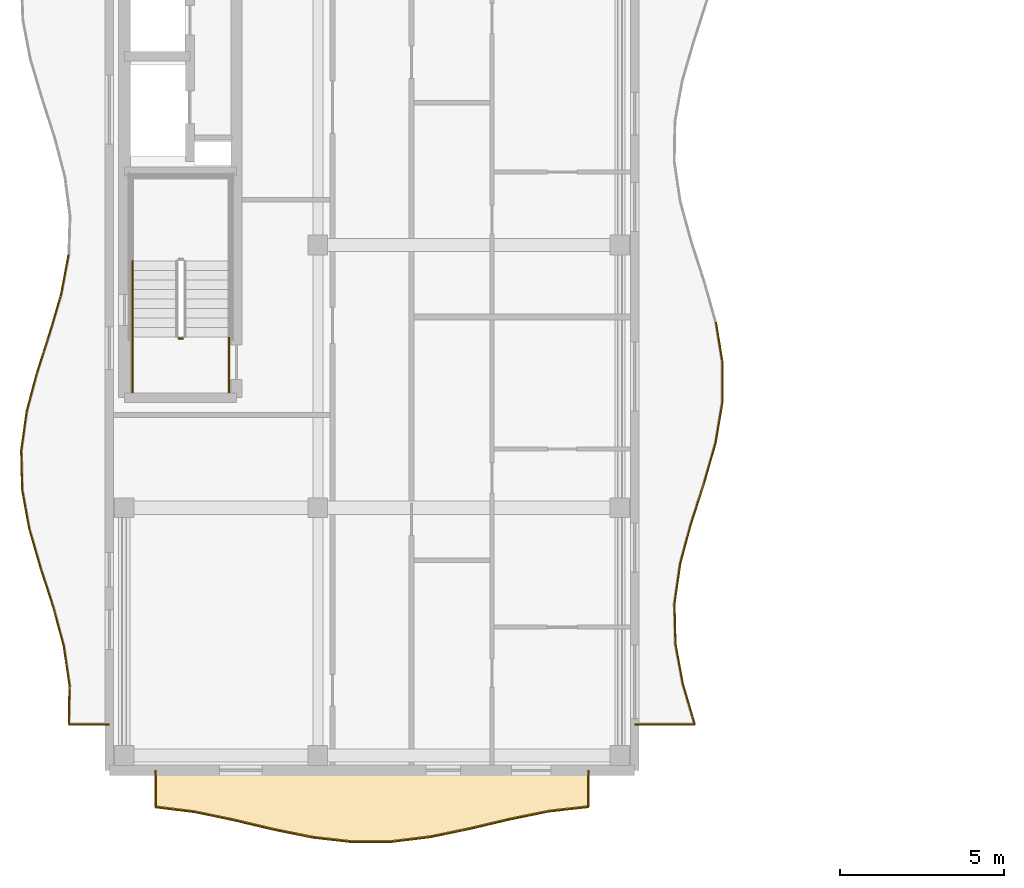
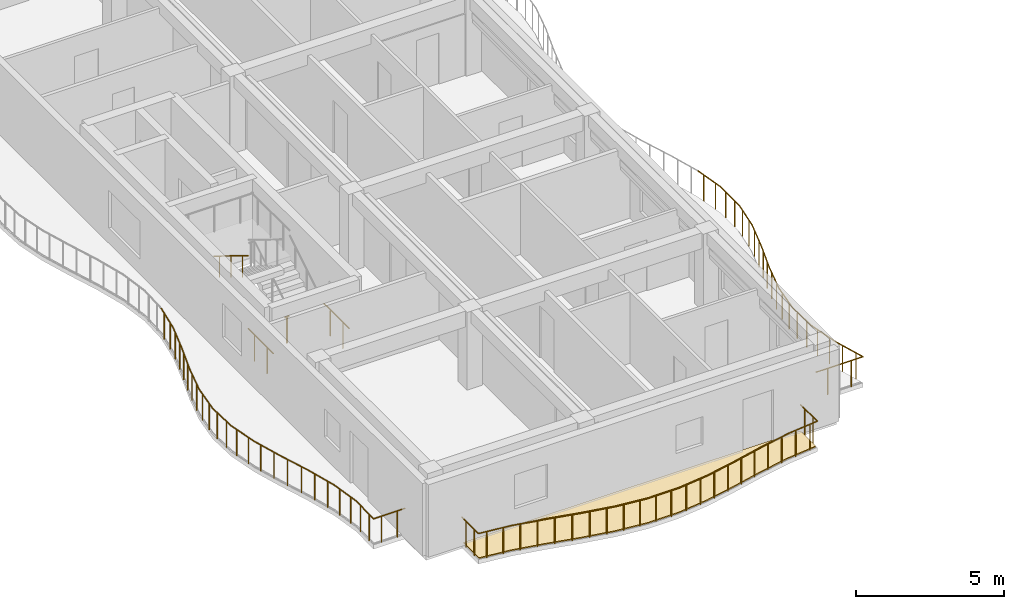
# One storey, part 49 of 76: 41 railings, 1 covering.
"""IFC4 building model written with IfcOpenShell, lengths in metres."""

import ifcopenshell
import ifcopenshell.guid

model = None  # the IFC model being written
_history = None  # IfcOwnerHistory: only IFC2X3 demands one
_inside = {}  # id of a spatial element -> (the spatial element, [elements in it])
_under = {}  # id of a project, library or spatial element -> (it, [spatial elements below it])
_declared = {}  # id of a project -> (the project, [libraries it declares])
_typed = {}  # id of a type object -> (the type object, [elements of that type])
_made_of = {}  # id of a material, layer set ... -> (it, [elements and type objects made of it])


def new_model(schema):
    """Start an empty IFC model of exactly this schema.

    Asked for "IFC4X3", IfcOpenShell would pick the latest addendum, in which some entities
    have other attributes; the version numbers below select the first issue.
    IFC2X3 requires an IfcOwnerHistory on every rooted entity: one is made here for all.
    """
    global model, _history
    if schema == "IFC4X3":
        model = ifcopenshell.file(schema_version=(4, 3, 0, 0))
    else:
        model = ifcopenshell.file(schema=schema)
    _inside.clear()
    _under.clear()
    _declared.clear()
    _typed.clear()
    _made_of.clear()
    _history = None
    if model.schema == "IFC2X3":
        org = make("IfcOrganization", Name="unknown")
        user = make(
            "IfcPersonAndOrganization",
            ThePerson=make("IfcPerson", FamilyName="unknown"),
            TheOrganization=org,
        )
        app = make(
            "IfcApplication",
            ApplicationDeveloper=org,
            Version="unknown",
            ApplicationFullName="unknown",
            ApplicationIdentifier="unknown",
        )
        _history = make(
            "IfcOwnerHistory",
            OwningUser=user,
            OwningApplication=app,
            ChangeAction="ADDED",
            CreationDate=0,
        )
    return model


def make(cls, **values):
    """One entity of the class cls with the attributes given. An attribute that is None is left unset."""
    return model.create_entity(
        cls, **{name: value for name, value in values.items() if value is not None}
    )


def rooted(cls, **values):
    """An entity with a GlobalId (a new one), such as an element, a storey or a relation."""
    return make(cls, GlobalId=ifcopenshell.guid.new(), OwnerHistory=_history, **values)


def si_unit(unit_type, name, prefix=None):
    """IfcSIUnit, for example si_unit("LENGTHUNIT", "METRE", prefix="MILLI")."""
    return make("IfcSIUnit", UnitType=unit_type, Prefix=prefix, Name=name)


def assignment(units):
    """IfcUnitAssignment: the units of a project."""
    return None if units is None else make("IfcUnitAssignment", Units=units)


def point(xyz):
    """IfcCartesianPoint."""
    return None if xyz is None else make("IfcCartesianPoint", Coordinates=xyz)


def direction(xyz):
    """IfcDirection."""
    return None if xyz is None else make("IfcDirection", DirectionRatios=xyz)


def frame(location, z_axis=None, x_axis=None):
    """IfcAxis2Placement3D, a coordinate frame: its origin and axes. An axis left out is left unset."""
    return make(
        "IfcAxis2Placement3D",
        Location=point(location),
        Axis=direction(z_axis),
        RefDirection=direction(x_axis),
    )


def frame_2d(location, x_axis=None):
    """IfcAxis2Placement2D, a coordinate frame in the plane: its origin and x axis."""
    return make(
        "IfcAxis2Placement2D", Location=point(location), RefDirection=direction(x_axis)
    )


def origin():
    """The frame at (0, 0, 0) with its axes left unset."""
    return frame((0.0, 0.0, 0.0))


def origin_2d():
    """The frame at (0, 0) in the plane with its x axis left unset."""
    return frame_2d((0.0, 0.0))


def place(relative_to, where):
    """IfcLocalPlacement: puts the frame where relative to a parent placement (None: the world)."""
    return make(
        "IfcLocalPlacement", PlacementRelTo=relative_to, RelativePlacement=where
    )


def context(
    kind, dimensions, precision=None, world=None, true_north=None, identifier=None
):
    """IfcGeometricRepresentationContext, for example the 3D "Model" context."""
    return make(
        "IfcGeometricRepresentationContext",
        ContextIdentifier=identifier,
        ContextType=kind,
        CoordinateSpaceDimension=dimensions,
        Precision=precision,
        WorldCoordinateSystem=world,
        TrueNorth=true_north,
    )


def subcontext(parent, identifier, kind, view, scale=None):
    """IfcGeometricRepresentationSubContext, for example "Body" below "Model"."""
    return make(
        "IfcGeometricRepresentationSubContext",
        ContextIdentifier=identifier,
        ContextType=kind,
        ParentContext=parent,
        TargetScale=scale,
        TargetView=view,
    )


def project(units=None, contexts=None):
    """IfcProject with its units and contexts."""
    return rooted(
        "IfcProject",
        Name="project",
        RepresentationContexts=contexts,
        UnitsInContext=assignment(units),
    )


def spatial(cls, under=None, at=None, **own):
    """A site, building, storey or space (cls), placed at a placement, below another one or the project."""
    s = rooted(cls, ObjectPlacement=at, **own)
    if under is not None:
        _under.setdefault(under.id(), (under, []))[1].append(s)
    return s


def polyline(points):
    """IfcPolyline through the points."""
    return make("IfcPolyline", Points=[point(p) for p in points])


def profile(cls, at=None, kind="AREA", **sizes):
    """A parametric profile (cls). Its sizes go by their IFC names, for example OverallWidth=200.0."""
    return make(cls, ProfileType=kind, Position=at, **sizes)


def circle(**sizes):
    """IfcCircleProfileDef."""
    return profile("IfcCircleProfileDef", **sizes)


def outline(outer, holes=None, kind="AREA"):
    """IfcArbitraryClosedProfileDef: a profile drawn as a closed curve; with holes, ...WithVoids."""
    if holes is None:
        return make("IfcArbitraryClosedProfileDef", ProfileType=kind, OuterCurve=outer)
    return make(
        "IfcArbitraryProfileDefWithVoids",
        ProfileType=kind,
        OuterCurve=outer,
        InnerCurves=holes,
    )


def extrude(swept, where, along, depth):
    """IfcExtrudedAreaSolid: the profile swept, set in the frame where, extruded along a direction by depth."""
    return make(
        "IfcExtrudedAreaSolid",
        SweptArea=swept,
        Position=where,
        ExtrudedDirection=direction(along),
        Depth=depth,
    )


def shape(context_of_items, identifier, shape_type, items):
    """IfcShapeRepresentation: the items that make up one representation, for example the "Body"."""
    return make(
        "IfcShapeRepresentation",
        ContextOfItems=context_of_items,
        RepresentationIdentifier=identifier,
        RepresentationType=shape_type,
        Items=items,
    )


def material(Name=None, Category=None):
    """IfcMaterial."""
    return make("IfcMaterial", Name=Name, Category=Category)


def layer(
    of_material, thickness, ventilated=None, Name=None, Category=None, Priority=None
):
    """IfcMaterialLayer: one layer of a wall or slab, of a material (None: an air gap)."""
    return make(
        "IfcMaterialLayer",
        Material=of_material,
        LayerThickness=thickness,
        IsVentilated=ventilated,
        Name=Name,
        Category=Category,
        Priority=Priority,
    )


def layer_set(layers, Name=None):
    """IfcMaterialLayerSet."""
    return make("IfcMaterialLayerSet", MaterialLayers=layers, LayerSetName=Name)


def made_of(thing, what):
    """Note that an element or type object is made of a material, layer set ...; save() writes the relation."""
    if what is not None:
        _made_of.setdefault(what.id(), (what, []))[1].append(thing)
    return thing


def type_object(cls, material=None, **own):
    """A type object (cls), such as IfcWallType, which elements share."""
    return made_of(rooted(cls, **own), material)


def element(
    cls,
    number,
    at=None,
    inside=None,
    cuts=None,
    type_object=None,
    material=None,
    context=None,
    identifier="Body",
    shape_type=None,
    held_by="IfcProductDefinitionShape",
    body=None,
    shapes=None,
    **own,
):
    """One element of the class cls, such as IfcWall. Its Tag is "e" and its number.

    at: its placement. inside: the storey or other place that contains it. cuts: it is an
    opening in that element (IfcRelVoidsElement). A single representation is given by context,
    identifier, shape_type and body (its items); several are given by shapes. held_by: the class
    of the entity that holds the representations. save() writes the other relations.
    """
    e = rooted(cls, Tag="e%d" % number, ObjectPlacement=at, **own)
    if body is not None:
        shapes = [shape(context, identifier, shape_type, body)]
    if shapes is not None:
        e.Representation = make(held_by, Representations=shapes)
    if inside is not None:
        _inside.setdefault(inside.id(), (inside, []))[1].append(e)
    if cuts is not None:
        rooted(
            "IfcRelVoidsElement", RelatingBuildingElement=cuts, RelatedOpeningElement=e
        )
    if type_object is not None:
        _typed.setdefault(type_object.id(), (type_object, []))[1].append(e)
    return made_of(e, material)


def aggregate(whole, parts):
    """IfcRelAggregates: a whole, such as a stair, and the parts it consists of."""
    return rooted("IfcRelAggregates", RelatingObject=whole, RelatedObjects=parts)


def save(model, path):
    """Write the relations noted so far, then the file.

    IfcRelAggregates (storeys below a building ...), IfcRelContainedInSpatialStructure (elements
    in a storey), IfcRelDefinesByType, IfcRelAssociatesMaterial and IfcRelDeclares: one each for
    every whole, place, type object, material and project.
    """
    for whole, parts in _under.values():
        aggregate(whole, parts)
    for where, things in _inside.values():
        rooted(
            "IfcRelContainedInSpatialStructure",
            RelatedElements=things,
            RelatingStructure=where,
        )
    for kind, things in _typed.values():
        rooted("IfcRelDefinesByType", RelatedObjects=things, RelatingType=kind)
    for what, things in _made_of.values():
        rooted("IfcRelAssociatesMaterial", RelatedObjects=things, RelatingMaterial=what)
    for by, libraries in _declared.values():
        rooted("IfcRelDeclares", RelatingContext=by, RelatedDefinitions=libraries)
    model.write(path)


model = new_model("IFC4")

# Units and contexts
model_context = context("Model", 3, precision=1e-05, world=origin(), true_north=direction((0.0, 1.0)))
body_context = subcontext(model_context, "Body", "Model", "MODEL_VIEW")
ifc_project = project(units=[si_unit("LENGTHUNIT", "METRE"), si_unit("AREAUNIT", "SQUARE_METRE"), si_unit("VOLUMEUNIT", "CUBIC_METRE"), si_unit("PLANEANGLEUNIT", "RADIAN"), si_unit("MASSUNIT", "GRAM", prefix="KILO")], contexts=[model_context])

# Site, building, storey
site_placement = place(None, origin())
site = spatial("IfcSite", under=ifc_project, at=site_placement, CompositionType="ELEMENT")
building_placement = place(site_placement, origin())
building = spatial("IfcBuilding", under=site, at=building_placement, Name="Keldmere Railside Commons", CompositionType="ELEMENT")
storey_placement = place(building_placement, frame((0.0, 0.0, 13.760009765625)))
storey = spatial("IfcBuildingStorey", under=building, at=storey_placement, Name="L04", CompositionType="ELEMENT", Elevation=13.760009765625)

# Railings
ifc_material_1 = material(Name="Steel F-24 (S235)", Category="steel")
railing_type_1 = type_object("IfcRailingType", Name="Balcony & Terrace Steel Balustrade 1100", PredefinedType="BALUSTRADE", material=ifc_material_1)
railing_1_placement = place(storey_placement, frame((24.0, 57.39990234375, 0.0)))
element("IfcRailing", 1, at=railing_1_placement, inside=storey, type_object=railing_type_1, Name="GR-1 GRD-L04-0401", PredefinedType="BALUSTRADE", context=body_context, shape_type="SweptSolid", body=[
    extrude(circle(Radius=0.02392578125, at=origin_2d()), frame((0.0, 0.0, 1.076171875), z_axis=(1.0, 0.0, 0.0), x_axis=(0.0, 1.0, 0.0)), (0.0, 0.0, 1.0), 1.831787109375),
    extrude(circle(Radius=0.02099609375, at=origin_2d()), frame((0.4580078125, 0.0, 0.0)), (0.0, 0.0, 1.0), 1.048095703125),
    extrude(circle(Radius=0.02099609375, at=origin_2d()), frame((1.373779296875, 0.0, 0.0)), (0.0, 0.0, 1.0), 1.048095703125),
])
railing_2_placement = place(storey_placement, frame((25.831787109375, 57.39990234375, 0.0)))
element("IfcRailing", 2, at=railing_2_placement, inside=storey, type_object=railing_type_1, Name="GR-1 GRD-L04-0402", PredefinedType="BALUSTRADE", context=body_context, shape_type="SweptSolid", body=[
    extrude(circle(Radius=0.02392578125, at=origin_2d()), frame((0.0, 0.0, 1.076171875), z_axis=(-0.282538887888, 0.959255845346, 0.0), x_axis=(-0.959255845346, -0.282538887888, 0.0)), (0.0, 0.0, 1.0), 1.277099609375),
    extrude(circle(Radius=0.02099609375, at=origin_2d()), frame((-0.09033203125, 0.30615234375, 0.0)), (0.0, 0.0, 1.0), 1.048095703125),
    extrude(circle(Radius=0.02099609375, at=origin_2d()), frame((-0.2705078125, 0.9189453125, 0.0)), (0.0, 0.0, 1.0), 1.048095703125),
])
railing_3_placement = place(storey_placement, frame((25.470947265625, 58.625, 0.0)))
element("IfcRailing", 3, at=railing_3_placement, inside=storey, type_object=railing_type_1, Name="GR-1 GRD-L04-0403", PredefinedType="BALUSTRADE", context=body_context, shape_type="SweptSolid", body=[
    extrude(circle(Radius=0.02392578125, at=origin_2d()), frame((0.0, 0.0, 1.076171875), z_axis=(-0.182229590861, 0.983256007464, 0.0), x_axis=(-0.983256007464, -0.182229590861, 0.0)), (0.0, 0.0, 1.0), 1.245849609375),
    extrude(circle(Radius=0.02099609375, at=origin_2d()), frame((-0.056640625, 0.30615234375, 0.0)), (0.0, 0.0, 1.0), 1.048095703125),
    extrude(circle(Radius=0.02099609375, at=origin_2d()), frame((-0.17041015625, 0.9189453125, 0.0)), (0.0, 0.0, 1.0), 1.048095703125),
])
railing_4_placement = place(storey_placement, frame((25.243896484375, 59.85009765625, 0.0)))
element("IfcRailing", 4, at=railing_4_placement, inside=storey, type_object=railing_type_1, Name="GR-1 GRD-L04-0404", PredefinedType="BALUSTRADE", context=body_context, shape_type="SweptSolid", body=[
    extrude(circle(Radius=0.02392578125, at=origin_2d()), frame((0.0, 0.0, 1.076171875), z_axis=(-0.024708419942, 0.999694700388, 0.0), x_axis=(-0.999694700388, -0.024708419942, 0.0)), (0.0, 0.0, 1.0), 1.225341796875),
    extrude(circle(Radius=0.02099609375, at=origin_2d()), frame((-0.007568359375, 0.30615234375, 0.0)), (0.0, 0.0, 1.0), 1.048095703125),
    extrude(circle(Radius=0.02099609375, at=origin_2d()), frame((-0.022705078125, 0.918701171875, 0.0)), (0.0, 0.0, 1.0), 1.048095703125),
])
railing_5_placement = place(storey_placement, frame((25.213623046875, 61.074951171875, 0.0)))
element("IfcRailing", 5, at=railing_5_placement, inside=storey, type_object=railing_type_1, Name="GR-1 GRD-L04-0405", PredefinedType="BALUSTRADE", context=body_context, shape_type="SweptSolid", body=[
    extrude(circle(Radius=0.02392578125, at=origin_2d()), frame((0.0, 0.0, 1.076171875), z_axis=(0.141642298919, 0.989917905261, 0.0), x_axis=(-0.989917905261, 0.141642298919, 0.0)), (0.0, 0.0, 1.0), 1.237548828125),
    extrude(circle(Radius=0.02099609375, at=origin_2d()), frame((0.0439453125, 0.30615234375, 0.0)), (0.0, 0.0, 1.0), 1.048095703125),
    extrude(circle(Radius=0.02099609375, at=origin_2d()), frame((0.13134765625, 0.9189453125, 0.0)), (0.0, 0.0, 1.0), 1.048095703125),
])
railing_6_placement = place(storey_placement, frame((25.388916015625, 62.300048828125, 0.0)))
element("IfcRailing", 6, at=railing_6_placement, inside=storey, type_object=railing_type_1, Name="GR-1 GRD-L04-0406", PredefinedType="BALUSTRADE", context=body_context, shape_type="SweptSolid", body=[
    extrude(circle(Radius=0.02392578125, at=origin_2d()), frame((0.0, 0.0, 1.076171875), z_axis=(0.261456551656, 0.965215246252, 0.0), x_axis=(-0.965215246252, 0.261456551656, 0.0)), (0.0, 0.0, 1.0), 1.26904296875),
    extrude(circle(Radius=0.02099609375, at=origin_2d()), frame((0.0830078125, 0.30615234375, 0.0)), (0.0, 0.0, 1.0), 1.048095703125),
    extrude(circle(Radius=0.02099609375, at=origin_2d()), frame((0.248779296875, 0.918701171875, 0.0)), (0.0, 0.0, 1.0), 1.048095703125),
])
railing_7_placement = place(storey_placement, frame((25.720703125, 63.52490234375, 0.0)))
element("IfcRailing", 7, at=railing_7_placement, inside=storey, type_object=railing_type_1, Name="GR-1 GRD-L04-0407", PredefinedType="BALUSTRADE", context=body_context, shape_type="SweptSolid", body=[
    extrude(circle(Radius=0.02392578125, at=origin_2d()), frame((0.0, 0.0, 1.076171875), z_axis=(0.307396140742, 0.951581637411, 0.0), x_axis=(-0.951581637411, 0.307396140742, 0.0)), (0.0, 0.0, 1.0), 1.287353515625),
    extrude(circle(Radius=0.02099609375, at=origin_2d()), frame((0.098876953125, 0.30615234375, 0.0)), (0.0, 0.0, 1.0), 1.048095703125),
    extrude(circle(Radius=0.02099609375, at=origin_2d()), frame((0.296875, 0.9189453125, 0.0)), (0.0, 0.0, 1.0), 1.048095703125),
])
railing_8_placement = place(storey_placement, frame((26.116455078125, 64.75, 0.0)))
element("IfcRailing", 8, at=railing_8_placement, inside=storey, type_object=railing_type_1, Name="GR-1 GRD-L04-0408", PredefinedType="BALUSTRADE", context=body_context, shape_type="SweptSolid", body=[
    extrude(circle(Radius=0.02392578125, at=origin_2d()), frame((0.0, 0.0, 1.076171875), z_axis=(0.274240179754, 0.961661231312, 0.0), x_axis=(-0.961661231312, 0.274240179754, 0.0)), (0.0, 0.0, 1.0), 1.27392578125),
    extrude(circle(Radius=0.02099609375, at=origin_2d()), frame((0.08740234375, 0.30615234375, 0.0)), (0.0, 0.0, 1.0), 1.048095703125),
    extrude(circle(Radius=0.02099609375, at=origin_2d()), frame((0.261962890625, 0.9189453125, 0.0)), (0.0, 0.0, 1.0), 1.048095703125),
])
railing_9_placement = place(storey_placement, frame((26.4658203125, 65.97509765625, 0.0)))
element("IfcRailing", 9, at=railing_9_placement, inside=storey, type_object=railing_type_1, Name="GR-1 GRD-L04-0409", PredefinedType="BALUSTRADE", context=body_context, shape_type="SweptSolid", body=[
    extrude(circle(Radius=0.02392578125, at=origin_2d()), frame((0.0, 0.0, 1.076171875), z_axis=(0.16532337011, 0.986239414795, 0.0), x_axis=(-0.986239414795, 0.16532337011, 0.0)), (0.0, 0.0, 1.0), 1.241943359375),
    extrude(circle(Radius=0.02099609375, at=origin_2d()), frame((0.05126953125, 0.30615234375, 0.0)), (0.0, 0.0, 1.0), 1.048095703125),
    extrude(circle(Radius=0.02099609375, at=origin_2d()), frame((0.154052734375, 0.918701171875, 0.0)), (0.0, 0.0, 1.0), 1.048095703125),
])
railing_10_placement = place(storey_placement, frame((26.671142578125, 67.199951171875, 0.0)))
element("IfcRailing", 10, at=railing_10_placement, inside=storey, type_object=railing_type_1, Name="GR-1 GRD-L04-0410", PredefinedType="BALUSTRADE", context=body_context, shape_type="SweptSolid", body=[
    extrude(circle(Radius=0.02392578125, at=origin_2d()), frame((0.0, 0.0, 1.076171875), z_axis=(0.003387784465, 0.999994261442, 0.0), x_axis=(-0.999994261442, 0.003387784465, 0.0)), (0.0, 0.0, 1.0), 1.22509765625),
    extrude(circle(Radius=0.02099609375, at=origin_2d()), frame((0.0009765625, 0.30615234375, 0.0)), (0.0, 0.0, 1.0), 1.048095703125),
    extrude(circle(Radius=0.02099609375, at=origin_2d()), frame((0.003173828125, 0.9189453125, 0.0)), (0.0, 0.0, 1.0), 1.048095703125),
])
railing_11_placement = place(storey_placement, frame((26.67529296875, 68.425048828125, 0.0)))
element("IfcRailing", 11, at=railing_11_placement, inside=storey, type_object=railing_type_1, Name="GR-1 GRD-L04-0411", PredefinedType="BALUSTRADE", context=body_context, shape_type="SweptSolid", body=[
    extrude(circle(Radius=0.02392578125, at=origin_2d()), frame((0.0, 0.0, 1.076171875), z_axis=(-0.159578868464, 0.987185182597, 0.0), x_axis=(-0.987185182597, -0.159578868464, 0.0)), (0.0, 0.0, 1.0), 1.24072265625),
    extrude(circle(Radius=0.02099609375, at=origin_2d()), frame((-0.049560546875, 0.30615234375, 0.0)), (0.0, 0.0, 1.0), 1.048095703125),
    extrude(circle(Radius=0.02099609375, at=origin_2d()), frame((-0.1484375, 0.918701171875, 0.0)), (0.0, 0.0, 1.0), 1.048095703125),
])
railing_12_placement = place(storey_placement, frame((8.0, 57.39990234375, 0.0)))
element("IfcRailing", 12, at=railing_12_placement, inside=storey, type_object=railing_type_1, Name="GR-1 GRD-L04-0427", PredefinedType="BALUSTRADE", context=body_context, shape_type="SweptSolid", body=[
    extrude(circle(Radius=0.02392578125, at=origin_2d()), frame((0.0, 0.0, 1.076171875), z_axis=(-1.0, 0.0, 0.0), x_axis=(0.0, -1.0, 0.0)), (0.0, 0.0, 1.0), 1.236328125),
    extrude(circle(Radius=0.02099609375, at=origin_2d()), frame((-0.30908203125, 0.0, 0.0)), (0.0, 0.0, 1.0), 1.048095703125),
    extrude(circle(Radius=0.02099609375, at=origin_2d()), frame((-0.92724609375, 0.0, 0.0)), (0.0, 0.0, 1.0), 1.048095703125),
])
railing_13_placement = place(storey_placement, frame((6.763671875, 57.39990234375, 0.0)))
element("IfcRailing", 13, at=railing_13_placement, inside=storey, type_object=railing_type_1, Name="GR-1 GRD-L04-0428", PredefinedType="BALUSTRADE", context=body_context, shape_type="SweptSolid", body=[
    extrude(circle(Radius=0.02392578125, at=origin_2d()), frame((0.0, 0.0, 1.076171875), z_axis=(0.016998772504, 0.999855510428, 0.0), x_axis=(-0.999855510428, 0.016998772504, 0.0)), (0.0, 0.0, 1.0), 1.192138671875),
    extrude(circle(Radius=0.02099609375, at=origin_2d()), frame((0.005126953125, 0.2978515625, 0.0)), (0.0, 0.0, 1.0), 1.048095703125),
    extrude(circle(Radius=0.02099609375, at=origin_2d()), frame((0.01513671875, 0.89404296875, 0.0)), (0.0, 0.0, 1.0), 1.048095703125),
])
railing_14_placement = place(storey_placement, frame((6.783935546875, 58.591796875, 0.0)))
element("IfcRailing", 14, at=railing_14_placement, inside=storey, type_object=railing_type_1, Name="GR-1 GRD-L04-0429", PredefinedType="BALUSTRADE", context=body_context, shape_type="SweptSolid", body=[
    extrude(circle(Radius=0.02392578125, at=origin_2d()), frame((0.0, 0.0, 1.076171875), z_axis=(-0.144373075605, 0.989523327183, 0.0), x_axis=(-0.989523327183, -0.144373075605, 0.0)), (0.0, 0.0, 1.0), 1.2041015625),
    extrude(circle(Radius=0.02099609375, at=origin_2d()), frame((-0.04345703125, 0.2978515625, 0.0)), (0.0, 0.0, 1.0), 1.048095703125),
    extrude(circle(Radius=0.02099609375, at=origin_2d()), frame((-0.13037109375, 0.8935546875, 0.0)), (0.0, 0.0, 1.0), 1.048095703125),
])
railing_15_placement = place(storey_placement, frame((6.610107421875, 59.783203125, 0.0)))
element("IfcRailing", 15, at=railing_15_placement, inside=storey, type_object=railing_type_1, Name="GR-1 GRD-L04-0430", PredefinedType="BALUSTRADE", context=body_context, shape_type="SweptSolid", body=[
    extrude(circle(Radius=0.02392578125, at=origin_2d()), frame((0.0, 0.0, 1.076171875), z_axis=(-0.260640047752, 0.965436049414, 0.0), x_axis=(-0.965436049414, -0.260640047752, 0.0)), (0.0, 0.0, 1.0), 1.234619140625),
    extrude(circle(Radius=0.02099609375, at=origin_2d()), frame((-0.08056640625, 0.2978515625, 0.0)), (0.0, 0.0, 1.0), 1.048095703125),
    extrude(circle(Radius=0.02099609375, at=origin_2d()), frame((-0.2412109375, 0.89404296875, 0.0)), (0.0, 0.0, 1.0), 1.048095703125),
])
railing_16_placement = place(storey_placement, frame((6.288330078125, 60.97509765625, 0.0)))
element("IfcRailing", 16, at=railing_16_placement, inside=storey, type_object=railing_type_1, Name="GR-1 GRD-L04-0431", PredefinedType="BALUSTRADE", context=body_context, shape_type="SweptSolid", body=[
    extrude(circle(Radius=0.02392578125, at=origin_2d()), frame((0.0, 0.0, 1.076171875), z_axis=(-0.307441346299, 0.951567033154, 0.0), x_axis=(-0.951567033154, -0.307441346299, 0.0)), (0.0, 0.0, 1.0), 1.252197265625),
    extrude(circle(Radius=0.02099609375, at=origin_2d()), frame((-0.09619140625, 0.2978515625, 0.0)), (0.0, 0.0, 1.0), 1.048095703125),
    extrude(circle(Radius=0.02099609375, at=origin_2d()), frame((-0.288818359375, 0.893798828125, 0.0)), (0.0, 0.0, 1.0), 1.048095703125),
])
railing_17_placement = place(storey_placement, frame((5.9033203125, 62.166748046875, 0.0)))
element("IfcRailing", 17, at=railing_17_placement, inside=storey, type_object=railing_type_1, Name="GR-1 GRD-L04-0432", PredefinedType="BALUSTRADE", context=body_context, shape_type="SweptSolid", body=[
    extrude(circle(Radius=0.02392578125, at=origin_2d()), frame((0.0, 0.0, 1.076171875), z_axis=(-0.278798487872, 0.96034962548, 0.0), x_axis=(-0.96034962548, -0.278798487872, 0.0)), (0.0, 0.0, 1.0), 1.240966796875),
    extrude(circle(Radius=0.02099609375, at=origin_2d()), frame((-0.08642578125, 0.2978515625, 0.0)), (0.0, 0.0, 1.0), 1.048095703125),
    extrude(circle(Radius=0.02099609375, at=origin_2d()), frame((-0.259521484375, 0.893798828125, 0.0)), (0.0, 0.0, 1.0), 1.048095703125),
])
railing_18_placement = place(storey_placement, frame((5.557373046875, 63.3583984375, 0.0)))
element("IfcRailing", 18, at=railing_18_placement, inside=storey, type_object=railing_type_1, Name="GR-1 GRD-L04-0433", PredefinedType="BALUSTRADE", context=body_context, shape_type="SweptSolid", body=[
    extrude(circle(Radius=0.02392578125, at=origin_2d()), frame((0.0, 0.0, 1.076171875), z_axis=(-0.178211257695, 0.983992249782, 0.0), x_axis=(-0.983992249782, -0.178211257695, 0.0)), (0.0, 0.0, 1.0), 1.2109375),
    extrude(circle(Radius=0.02099609375, at=origin_2d()), frame((-0.053955078125, 0.2978515625, 0.0)), (0.0, 0.0, 1.0), 1.048095703125),
    extrude(circle(Radius=0.02099609375, at=origin_2d()), frame((-0.161865234375, 0.893798828125, 0.0)), (0.0, 0.0, 1.0), 1.048095703125),
])
railing_19_placement = place(storey_placement, frame((5.341552734375, 64.550048828125, 0.0)))
element("IfcRailing", 19, at=railing_19_placement, inside=storey, type_object=railing_type_1, Name="GR-1 GRD-L04-0434", PredefinedType="BALUSTRADE", context=body_context, shape_type="SweptSolid", body=[
    extrude(circle(Radius=0.02392578125, at=origin_2d()), frame((0.0, 0.0, 1.076171875), z_axis=(-0.023963614274, 0.999712831363, 0.0), x_axis=(-0.999712831363, -0.023963614274, 0.0)), (0.0, 0.0, 1.0), 1.19189453125),
    extrude(circle(Radius=0.02099609375, at=origin_2d()), frame((-0.007080078125, 0.2978515625, 0.0)), (0.0, 0.0, 1.0), 1.048095703125),
    extrude(circle(Radius=0.02099609375, at=origin_2d()), frame((-0.021484375, 0.893798828125, 0.0)), (0.0, 0.0, 1.0), 1.048095703125),
])
railing_20_placement = place(storey_placement, frame((5.31298828125, 65.74169921875, 0.0)))
element("IfcRailing", 20, at=railing_20_placement, inside=storey, type_object=railing_type_1, Name="GR-1 GRD-L04-0435", PredefinedType="BALUSTRADE", context=body_context, shape_type="SweptSolid", body=[
    extrude(circle(Radius=0.02392578125, at=origin_2d()), frame((0.0, 0.0, 1.076171875), z_axis=(0.137983101136, 0.990434583302, 0.0), x_axis=(-0.990434583302, 0.137983101136, 0.0)), (0.0, 0.0, 1.0), 1.203125),
    extrude(circle(Radius=0.02099609375, at=origin_2d()), frame((0.04150390625, 0.2978515625, 0.0)), (0.0, 0.0, 1.0), 1.048095703125),
    extrude(circle(Radius=0.02099609375, at=origin_2d()), frame((0.12451171875, 0.893798828125, 0.0)), (0.0, 0.0, 1.0), 1.048095703125),
])
railing_21_placement = place(storey_placement, frame((5.47900390625, 66.933349609375, 0.0)))
element("IfcRailing", 21, at=railing_21_placement, inside=storey, type_object=railing_type_1, Name="GR-1 GRD-L04-0436", PredefinedType="BALUSTRADE", context=body_context, shape_type="SweptSolid", body=[
    extrude(circle(Radius=0.02392578125, at=origin_2d()), frame((0.0, 0.0, 1.076171875), z_axis=(0.257366908881, 0.966313755575, 0.0), x_axis=(-0.966313755575, 0.257366908881, 0.0)), (0.0, 0.0, 1.0), 1.233154296875),
    extrude(circle(Radius=0.02099609375, at=origin_2d()), frame((0.079345703125, 0.2978515625, 0.0)), (0.0, 0.0, 1.0), 1.048095703125),
    extrude(circle(Radius=0.02099609375, at=origin_2d()), frame((0.238037109375, 0.893798828125, 0.0)), (0.0, 0.0, 1.0), 1.048095703125),
])
railing_22_placement = place(storey_placement, frame((5.79638671875, 68.125, 0.0)))
element("IfcRailing", 22, at=railing_22_placement, inside=storey, type_object=railing_type_1, Name="GR-1 GRD-L04-0437", PredefinedType="BALUSTRADE", context=body_context, shape_type="SweptSolid", body=[
    extrude(circle(Radius=0.02392578125, at=origin_2d()), frame((0.0, 0.0, 1.076171875), z_axis=(0.306734987386, 0.951794960857, 0.0), x_axis=(-0.951794960857, 0.306734987386, 0.0)), (0.0, 0.0, 1.0), 1.251953125),
    extrude(circle(Radius=0.02099609375, at=origin_2d()), frame((0.095947265625, 0.2978515625, 0.0)), (0.0, 0.0, 1.0), 1.048095703125),
    extrude(circle(Radius=0.02099609375, at=origin_2d()), frame((0.2880859375, 0.893798828125, 0.0)), (0.0, 0.0, 1.0), 1.048095703125),
])
railing_23_placement = place(storey_placement, frame((6.180419921875, 69.316650390625, 0.0)))
element("IfcRailing", 23, at=railing_23_placement, inside=storey, type_object=railing_type_1, Name="GR-1 GRD-L04-0438", PredefinedType="BALUSTRADE", context=body_context, shape_type="SweptSolid", body=[
    extrude(circle(Radius=0.02392578125, at=origin_2d()), frame((0.0, 0.0, 1.076171875), z_axis=(0.281698006147, 0.959503117938, 0.0), x_axis=(-0.959503117938, 0.281698006147, 0.0)), (0.0, 0.0, 1.0), 1.241943359375),
    extrude(circle(Radius=0.02099609375, at=origin_2d()), frame((0.08740234375, 0.2978515625, 0.0)), (0.0, 0.0, 1.0), 1.048095703125),
    extrude(circle(Radius=0.02099609375, at=origin_2d()), frame((0.262451171875, 0.893798828125, 0.0)), (0.0, 0.0, 1.0), 1.048095703125),
])
railing_24_placement = place(storey_placement, frame((6.5302734375, 70.50830078125, 0.0)))
element("IfcRailing", 24, at=railing_24_placement, inside=storey, type_object=railing_type_1, Name="GR-1 GRD-L04-0439", PredefinedType="BALUSTRADE", context=body_context, shape_type="SweptSolid", body=[
    extrude(circle(Radius=0.02392578125, at=origin_2d()), frame((0.0, 0.0, 1.076171875), z_axis=(0.183668366843, 0.982988265963, 0.0), x_axis=(-0.982988265963, 0.183668366843, 0.0)), (0.0, 0.0, 1.0), 1.212158203125),
    extrude(circle(Radius=0.02099609375, at=origin_2d()), frame((0.0556640625, 0.2978515625, 0.0)), (0.0, 0.0, 1.0), 1.048095703125),
    extrude(circle(Radius=0.02099609375, at=origin_2d()), frame((0.1669921875, 0.893798828125, 0.0)), (0.0, 0.0, 1.0), 1.048095703125),
])
railing_25_placement = place(storey_placement, frame((9.39990234375, 56.0, 0.0)))
element("IfcRailing", 25, at=railing_25_placement, inside=storey, type_object=railing_type_1, Name="GR-1 GRD-L04-0490", PredefinedType="BALUSTRADE", context=body_context, shape_type="SweptSolid", body=[
    extrude(circle(Radius=0.02392578125, at=origin_2d()), frame((0.0, 0.0, 1.076171875), z_axis=(0.0, -1.0, 0.0), x_axis=(1.0, 0.0, 0.0)), (0.0, 0.0, 1.0), 1.12255859375),
    extrude(circle(Radius=0.02099609375, at=origin_2d()), frame((0.0, -0.28076171875, 0.0)), (0.0, 0.0, 1.0), 1.048095703125),
    extrude(circle(Radius=0.02099609375, at=origin_2d()), frame((0.0, -0.841796875, 0.0)), (0.0, 0.0, 1.0), 1.048095703125),
])
railing_26_placement = place(storey_placement, frame((9.39990234375, 54.87744140625, 0.0)))
element("IfcRailing", 26, at=railing_26_placement, inside=storey, type_object=railing_type_1, Name="GR-1 GRD-L04-0491", PredefinedType="BALUSTRADE", context=body_context, shape_type="SweptSolid", body=[
    extrude(circle(Radius=0.02392578125, at=origin_2d()), frame((0.0, 0.0, 1.076171875), z_axis=(0.992413927845, -0.122941432477, 0.0), x_axis=(0.122941432477, 0.992413927845, 0.0)), (0.0, 0.0, 1.0), 1.20947265625),
    extrude(circle(Radius=0.02099609375, at=origin_2d()), frame((0.300048828125, -0.037109375, 0.0)), (0.0, 0.0, 1.0), 1.048095703125),
    extrude(circle(Radius=0.02099609375, at=origin_2d()), frame((0.900146484375, -0.111572265625, 0.0)), (0.0, 0.0, 1.0), 1.048095703125),
])
railing_27_placement = place(storey_placement, frame((10.60009765625, 54.728759765625, 0.0)))
element("IfcRailing", 27, at=railing_27_placement, inside=storey, type_object=railing_type_1, Name="GR-1 GRD-L04-0492", PredefinedType="BALUSTRADE", context=body_context, shape_type="SweptSolid", body=[
    extrude(circle(Radius=0.02392578125, at=origin_2d()), frame((0.0, 0.0, 1.076171875), z_axis=(0.978938974056, -0.20415309225, 0.0), x_axis=(0.20415309225, 0.978938974056, 0.0)), (0.0, 0.0, 1.0), 1.225830078125),
    extrude(circle(Radius=0.02099609375, at=origin_2d()), frame((0.300048828125, -0.0625, 0.0)), (0.0, 0.0, 1.0), 1.048095703125),
    extrude(circle(Radius=0.02099609375, at=origin_2d()), frame((0.89990234375, -0.187744140625, 0.0)), (0.0, 0.0, 1.0), 1.048095703125),
])
railing_28_placement = place(storey_placement, frame((11.800048828125, 54.478515625, 0.0)))
element("IfcRailing", 28, at=railing_28_placement, inside=storey, type_object=railing_type_1, Name="GR-1 GRD-L04-0493", PredefinedType="BALUSTRADE", context=body_context, shape_type="SweptSolid", body=[
    extrude(circle(Radius=0.02392578125, at=origin_2d()), frame((0.0, 0.0, 1.076171875), z_axis=(0.973039379301, -0.230639039041, 0.0), x_axis=(0.230639039041, 0.973039379301, 0.0)), (0.0, 0.0, 1.0), 1.233154296875),
    extrude(circle(Radius=0.02099609375, at=origin_2d()), frame((0.300048828125, -0.071044921875, 0.0)), (0.0, 0.0, 1.0), 1.048095703125),
    extrude(circle(Radius=0.02099609375, at=origin_2d()), frame((0.89990234375, -0.21337890625, 0.0)), (0.0, 0.0, 1.0), 1.048095703125),
])
railing_29_placement = place(storey_placement, frame((13.0, 54.194091796875, 0.0)))
element("IfcRailing", 29, at=railing_29_placement, inside=storey, type_object=railing_type_1, Name="GR-1 GRD-L04-0494", PredefinedType="BALUSTRADE", context=body_context, shape_type="SweptSolid", body=[
    extrude(circle(Radius=0.02392578125, at=origin_2d()), frame((0.0, 0.0, 1.076171875), z_axis=(0.980117790928, -0.198416521256, 0.0), x_axis=(0.198416521256, 0.980117790928, 0.0)), (0.0, 0.0, 1.0), 1.224365234375),
    extrude(circle(Radius=0.02099609375, at=origin_2d()), frame((0.300048828125, -0.060791015625, 0.0)), (0.0, 0.0, 1.0), 1.048095703125),
    extrude(circle(Radius=0.02099609375, at=origin_2d()), frame((0.89990234375, -0.18212890625, 0.0)), (0.0, 0.0, 1.0), 1.048095703125),
])
railing_30_placement = place(storey_placement, frame((14.199951171875, 53.951171875, 0.0)))
element("IfcRailing", 30, at=railing_30_placement, inside=storey, type_object=railing_type_1, Name="GR-1 GRD-L04-0495", PredefinedType="BALUSTRADE", context=body_context, shape_type="SweptSolid", body=[
    extrude(circle(Radius=0.02392578125, at=origin_2d()), frame((0.0, 0.0, 1.076171875), z_axis=(0.993639744358, -0.112605765536, 0.0), x_axis=(0.112605765536, 0.993639744358, 0.0)), (0.0, 0.0, 1.0), 1.20751953125),
    extrude(circle(Radius=0.02099609375, at=origin_2d()), frame((0.300048828125, -0.033935546875, 0.0)), (0.0, 0.0, 1.0), 1.048095703125),
    extrude(circle(Radius=0.02099609375, at=origin_2d()), frame((0.89990234375, -0.10205078125, 0.0)), (0.0, 0.0, 1.0), 1.048095703125),
])
railing_31_placement = place(storey_placement, frame((15.39990234375, 53.815185546875, 0.0)))
element("IfcRailing", 31, at=railing_31_placement, inside=storey, type_object=railing_type_1, Name="GR-1 GRD-L04-0496", PredefinedType="BALUSTRADE", context=body_context, shape_type="SweptSolid", body=[
    extrude(circle(Radius=0.02392578125, at=origin_2d()), frame((0.0, 0.0, 1.076171875), z_axis=(0.99998138013, 0.006102408748, 0.0), x_axis=(-0.006102408748, 0.99998138013, 0.0)), (0.0, 0.0, 1.0), 1.2001953125),
    extrude(circle(Radius=0.02099609375, at=origin_2d()), frame((0.300048828125, 0.001953125, 0.0)), (0.0, 0.0, 1.0), 1.048095703125),
    extrude(circle(Radius=0.02099609375, at=origin_2d()), frame((0.900146484375, 0.00537109375, 0.0)), (0.0, 0.0, 1.0), 1.048095703125),
])
railing_32_placement = place(storey_placement, frame((16.60009765625, 53.822509765625, 0.0)))
element("IfcRailing", 32, at=railing_32_placement, inside=storey, type_object=railing_type_1, Name="GR-1 GRD-L04-0497", PredefinedType="BALUSTRADE", context=body_context, shape_type="SweptSolid", body=[
    extrude(circle(Radius=0.02392578125, at=origin_2d()), frame((0.0, 0.0, 1.076171875), z_axis=(0.99241087568, 0.122966067811, 0.0), x_axis=(-0.122966067811, 0.99241087568, 0.0)), (0.0, 0.0, 1.0), 1.209228515625),
    extrude(circle(Radius=0.02099609375, at=origin_2d()), frame((0.300048828125, 0.037109375, 0.0)), (0.0, 0.0, 1.0), 1.048095703125),
    extrude(circle(Radius=0.02099609375, at=origin_2d()), frame((0.89990234375, 0.111572265625, 0.0)), (0.0, 0.0, 1.0), 1.048095703125),
])
railing_33_placement = place(storey_placement, frame((17.800048828125, 53.97119140625, 0.0)))
element("IfcRailing", 33, at=railing_33_placement, inside=storey, type_object=railing_type_1, Name="GR-1 GRD-L04-0498", PredefinedType="BALUSTRADE", context=body_context, shape_type="SweptSolid", body=[
    extrude(circle(Radius=0.02392578125, at=origin_2d()), frame((0.0, 0.0, 1.076171875), z_axis=(0.978938974056, 0.20415309225, 0.0), x_axis=(-0.20415309225, 0.978938974056, 0.0)), (0.0, 0.0, 1.0), 1.225830078125),
    extrude(circle(Radius=0.02099609375, at=origin_2d()), frame((0.300048828125, 0.0625, 0.0)), (0.0, 0.0, 1.0), 1.048095703125),
    extrude(circle(Radius=0.02099609375, at=origin_2d()), frame((0.89990234375, 0.187744140625, 0.0)), (0.0, 0.0, 1.0), 1.048095703125),
])
railing_34_placement = place(storey_placement, frame((19.0, 54.221435546875, 0.0)))
element("IfcRailing", 34, at=railing_34_placement, inside=storey, type_object=railing_type_1, Name="GR-1 GRD-L04-0499", PredefinedType="BALUSTRADE", context=body_context, shape_type="SweptSolid", body=[
    extrude(circle(Radius=0.02392578125, at=origin_2d()), frame((0.0, 0.0, 1.076171875), z_axis=(0.97299493391, 0.230826468553, 0.0), x_axis=(-0.230826468553, 0.97299493391, 0.0)), (0.0, 0.0, 1.0), 1.233154296875),
    extrude(circle(Radius=0.02099609375, at=origin_2d()), frame((0.300048828125, 0.0712890625, 0.0)), (0.0, 0.0, 1.0), 1.048095703125),
    extrude(circle(Radius=0.02099609375, at=origin_2d()), frame((0.89990234375, 0.21337890625, 0.0)), (0.0, 0.0, 1.0), 1.048095703125),
])
railing_35_placement = place(storey_placement, frame((20.199951171875, 54.506103515625, 0.0)))
element("IfcRailing", 35, at=railing_35_placement, inside=storey, type_object=railing_type_1, Name="GR-1 GRD-L04-0500", PredefinedType="BALUSTRADE", context=body_context, shape_type="SweptSolid", body=[
    extrude(circle(Radius=0.02392578125, at=origin_2d()), frame((0.0, 0.0, 1.076171875), z_axis=(0.980156554012, 0.198224947037, 0.0), x_axis=(-0.198224947037, 0.980156554012, 0.0)), (0.0, 0.0, 1.0), 1.224365234375),
    extrude(circle(Radius=0.02099609375, at=origin_2d()), frame((0.300048828125, 0.060546875, 0.0)), (0.0, 0.0, 1.0), 1.048095703125),
    extrude(circle(Radius=0.02099609375, at=origin_2d()), frame((0.89990234375, 0.18212890625, 0.0)), (0.0, 0.0, 1.0), 1.048095703125),
])
railing_36_placement = place(storey_placement, frame((21.39990234375, 54.748779296875, 0.0)))
element("IfcRailing", 36, at=railing_36_placement, inside=storey, type_object=railing_type_1, Name="GR-1 GRD-L04-0501", PredefinedType="BALUSTRADE", context=body_context, shape_type="SweptSolid", body=[
    extrude(circle(Radius=0.02392578125, at=origin_2d()), frame((0.0, 0.0, 1.076171875), z_axis=(0.993642307047, 0.112583149924, 0.0), x_axis=(-0.112583149924, 0.993642307047, 0.0)), (0.0, 0.0, 1.0), 1.207763671875),
    extrude(circle(Radius=0.02099609375, at=origin_2d()), frame((0.300048828125, 0.033935546875, 0.0)), (0.0, 0.0, 1.0), 1.048095703125),
    extrude(circle(Radius=0.02099609375, at=origin_2d()), frame((0.900146484375, 0.10205078125, 0.0)), (0.0, 0.0, 1.0), 1.048095703125),
])
railing_37_placement = place(storey_placement, frame((22.60009765625, 54.884765625, 0.0)))
element("IfcRailing", 37, at=railing_37_placement, inside=storey, type_object=railing_type_1, Name="GR-1 GRD-L04-0502", PredefinedType="BALUSTRADE", context=body_context, shape_type="SweptSolid", body=[
    extrude(circle(Radius=0.02392578125, at=origin_2d()), frame((0.0, 0.0, 1.076171875), z_axis=(0.0, 1.0, 0.0), x_axis=(-1.0, 0.0, 0.0)), (0.0, 0.0, 1.0), 1.115234375),
    extrude(circle(Radius=0.02099609375, at=origin_2d()), frame((0.0, 0.27880859375, 0.0)), (0.0, 0.0, 1.0), 1.048095703125),
    extrude(circle(Radius=0.02099609375, at=origin_2d()), frame((0.0, 0.83642578125, 0.0)), (0.0, 0.0, 1.0), 1.048095703125),
])
railing_type_2 = type_object("IfcRailingType", Name="Stair Well Steel Guardrail 1100", PredefinedType="BALUSTRADE", material=ifc_material_1)
railing_38_placement = place(storey_placement, frame((10.25, 69.14990234375, 0.0)))
element("IfcRailing", 38, at=railing_38_placement, inside=storey, type_object=railing_type_2, Name="L04 ST-D1 stair guard 7", PredefinedType="BALUSTRADE", context=body_context, shape_type="SweptSolid", body=[
    extrude(circle(Radius=0.02392578125, at=origin_2d()), frame((0.0, 0.0, 1.076171875), z_axis=(-1.0, 0.0, 0.0), x_axis=(0.0, -1.0, 0.0)), (0.0, 0.0, 1.0), 0.14990234375),
    extrude(circle(Radius=0.02099609375, at=origin_2d()), frame((-0.074951171875, 0.0, 0.0)), (0.0, 0.0, 1.0), 1.048095703125),
])
for number, where, name in (
    (39, (11.64990234375, 67.5, 0.0), "L04 ST-D1 stair guard 8"),
    (40, (8.699951171875, 67.5, 0.0), "L04 ST-D1 stair guard 9"),
):
    element("IfcRailing", number, at=place(storey_placement, frame(where)), inside=storey, type_object=railing_type_2, Name=name, PredefinedType="BALUSTRADE", context=body_context, shape_type="SweptSolid", body=[
        extrude(circle(Radius=0.02392578125, at=origin_2d()), frame((0.0, 0.0, 1.076171875), z_axis=(0.0, 1.0, 0.0), x_axis=(-1.0, 0.0, 0.0)), (0.0, 0.0, 1.0), 1.699951171875),
        extrude(circle(Radius=0.02099609375, at=origin_2d()), frame((0.0, 0.425048828125, 0.0)), (0.0, 0.0, 1.0), 1.048095703125),
        extrude(circle(Radius=0.02099609375, at=origin_2d()), frame((0.0, 1.27490234375, 0.0)), (0.0, 0.0, 1.0), 1.048095703125),
    ])
railing_type_3 = type_object("IfcRailingType", Name="Wall-Mounted Tubular Steel Handrail 900", PredefinedType="HANDRAIL", material=ifc_material_1)
railing_39_placement = place(storey_placement, frame((8.699951171875, 71.52001953125, 1.77783203125)))
element("IfcRailing", 41, at=railing_39_placement, inside=storey, type_object=railing_type_3, Name="L04 ST-D1 stair handrail 2", PredefinedType="HANDRAIL", context=body_context, shape_type="SweptSolid", body=[
    extrude(circle(Radius=0.02392578125, at=origin_2d()), frame((0.0, 0.0, 0.8759765625), z_axis=(0.0, -0.852578041948, 0.522599925744), x_axis=(1.0, 0.0, 0.0)), (0.0, 0.0, 1.0), 2.72119140625),
    extrude(circle(Radius=0.02099609375, at=origin_2d()), frame((0.0, -0.38671875, 0.237060546875)), (0.0, 0.0, 1.0), 0.847900390625),
    extrude(circle(Radius=0.02099609375, at=origin_2d()), frame((0.0, -1.16015625, 0.7109375)), (0.0, 0.0, 1.0), 0.847900390625),
    extrude(circle(Radius=0.02099609375, at=origin_2d()), frame((0.0, -1.933349609375, 1.18505859375)), (0.0, 0.0, 1.0), 0.847900390625),
])

# Covering
ifc_material_2 = material(Name="White Precast Concrete C35/45", Category="concrete")
ifc_layer = layer(ifc_material_2, 0.044921875, Name="White Architectural Balcony Ribbon Cladding 45")
ifc_layer_set = layer_set([ifc_layer], Name="White Precast Concrete C35/45")
covering_type = type_object("IfcCoveringType", Name="White Architectural Balcony Ribbon Cladding 45", PredefinedType="FLOORING", material=ifc_layer_set)
covering_placement = place(storey_placement, origin())
element("IfcCovering", 42, at=covering_placement, inside=storey, type_object=covering_type, Name="CLG-WB D L04 S White Balcony Ribbon", PredefinedType="FLOORING", context=body_context, shape_type="SweptSolid", body=[
    extrude(outline(polyline([(10.60498046875, 54.768310546875), (10.608154296875, 54.767822265625), (11.80810546875, 54.517822265625), (11.80908203125, 54.517578125), (13.008544921875, 54.233154296875), (14.206298828125, 53.99072265625), (15.402099609375, 53.855224609375), (16.597412109375, 53.862548828125), (17.79345703125, 54.0107421875), (18.9912109375, 54.260498046875), (20.19091796875, 54.544921875), (20.192138671875, 54.545166015625), (21.39208984375, 54.7880859375), (21.3955078125, 54.78857421875), (22.56005859375, 54.92041015625), (22.56005859375, 55.9599609375), (9.43994140625, 55.9599609375), (9.43994140625, 54.91259765625), (10.60498046875, 54.768310546875)])), origin(), (0.0, 0.0, 1.0), 0.044921875),
])

save(model, "model.ifc")
